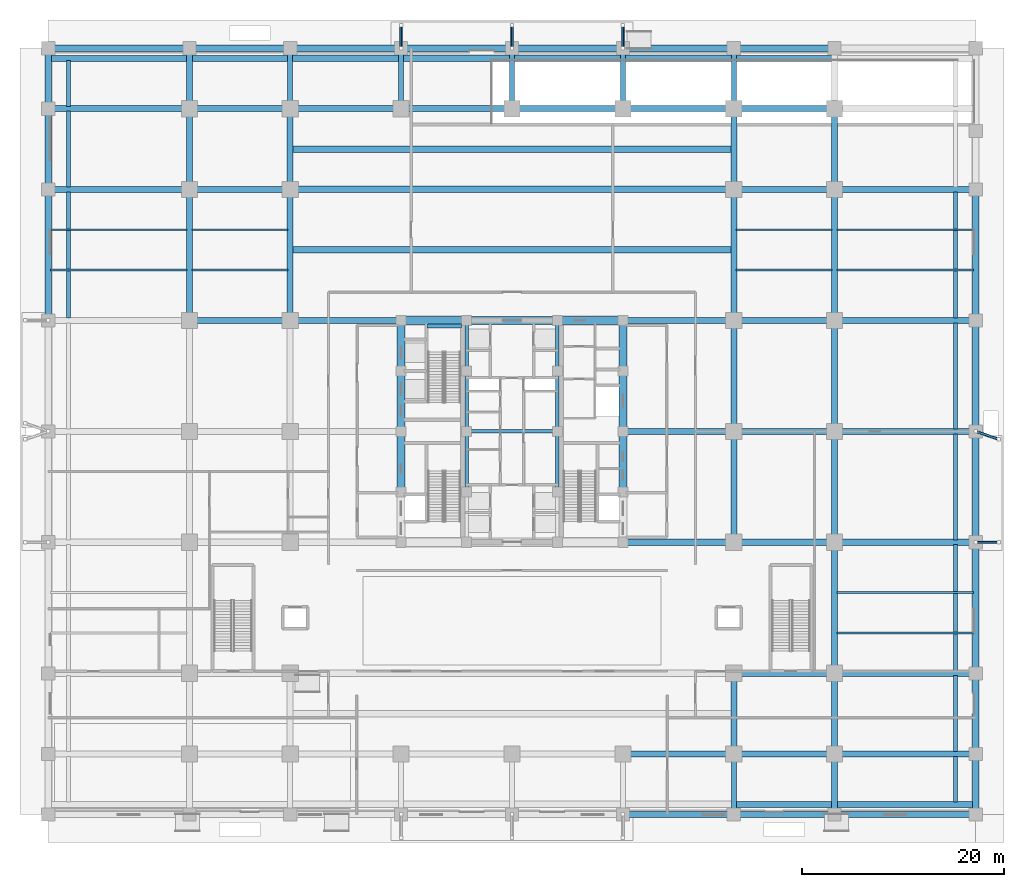
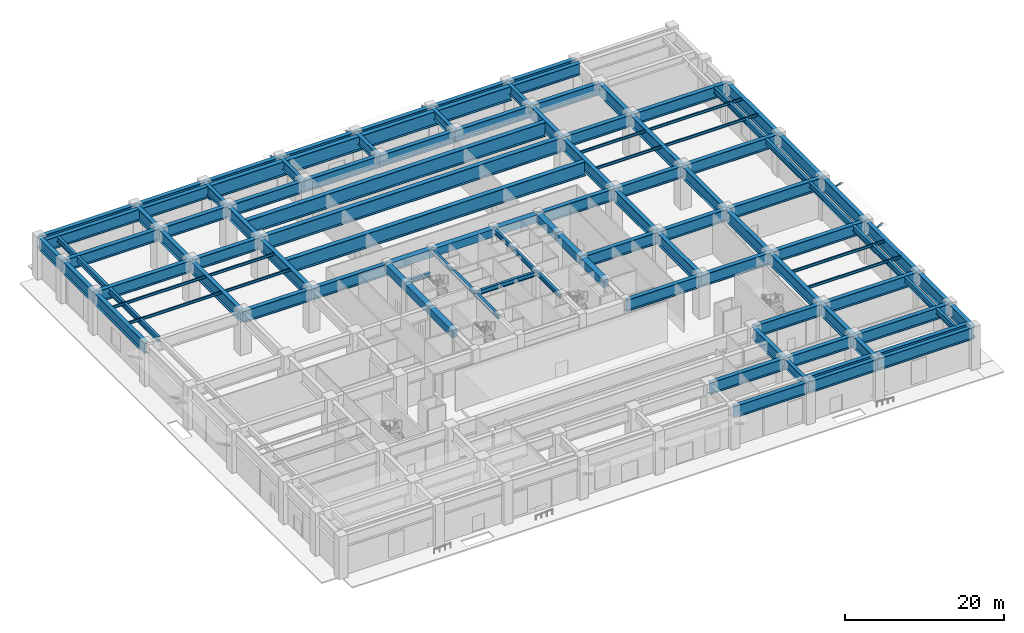
# One storey, part 2 of 21: 114 beams, 5 members.
"""IFC4 building model written with IfcOpenShell, lengths in metres."""

from ifc_helpers import new_model, si_unit, direction, frame, origin, origin_2d, place, context, subcontext, project, spatial, rectangle, hollow_circle, i_section, extrude, source, transform, mapped, material, material_profile, profile_set, type_object, element, save


model = new_model("IFC4")

# Units and contexts
model_context = context("Model", 3, precision=1e-05, world=origin(), true_north=direction((0.0, 1.0)))
body_context = subcontext(model_context, "Body", "Model", "MODEL_VIEW")
ifc_project = project(units=[si_unit("LENGTHUNIT", "METRE"), si_unit("AREAUNIT", "SQUARE_METRE"), si_unit("VOLUMEUNIT", "CUBIC_METRE"), si_unit("PLANEANGLEUNIT", "RADIAN"), si_unit("MASSUNIT", "GRAM", prefix="KILO")], contexts=[model_context])

# Site, building, storey
site_placement = place(None, origin())
site = spatial("IfcSite", under=ifc_project, at=site_placement, CompositionType="ELEMENT")
building_placement = place(site_placement, origin())
building = spatial("IfcBuilding", under=site, at=building_placement, Name="Khorayat Bourse Tower", CompositionType="ELEMENT")
storey_placement = place(building_placement, origin())
storey = spatial("IfcBuildingStorey", under=building, at=storey_placement, Name="L00", CompositionType="ELEMENT", Elevation=0.0)

# Members
ifc_material_1 = material(Name="Steel EN 10025-2 S355J2", Category="steel")
ifc_material_profile_1 = material_profile(ifc_material_1, hollow_circle(Radius=0.136474609375, WallThickness=0.012451171875, at=origin_2d()), Name="CHS 273x12.5")
ifc_profile_set_1 = profile_set([ifc_material_profile_1], Name="Steel EN 10025-2 S355J2")
member_type = type_object("IfcMemberType", Name="MBR-CANOPY-273", PredefinedType="STRUT", material=ifc_profile_set_1)
shared_shape_1 = source(origin(), body_context, "Body", "SweptSolid", [
    extrude(hollow_circle(Radius=0.136474609375, WallThickness=0.012451171875, at=origin_2d()), origin(), (0.0, 0.0, 1.0), 2.65185546875),
])
for number, where, z_axis, x_axis, name in (
    (1, (-11.0, 38.0, 3.60009765625), (0.0, 0.867346571569, 0.497704656183), (-1.0, 0.0, 0.0), "L00 Canopy Strut N-DROP-1"),
    (2, (0.0, 38.0, 3.60009765625), (0.0, 0.867346571569, 0.497704656183), (-1.0, 0.0, 0.0), "L00 Canopy Strut N-DROP-2"),
    (3, (11.0, 38.0, 3.60009765625), (0.0, 0.867346571569, 0.497704656183), (-1.0, 0.0, 0.0), "L00 Canopy Strut N-DROP-3"),
    (4, (46.0, -11.0, 3.60009765625), (0.867346571569, 0.0, 0.497704656183), (0.0, 1.0, 0.0), "L00 Canopy Strut E-DOCK-1"),
):
    element("IfcMember", number, at=place(storey_placement, frame(where, z_axis=z_axis, x_axis=x_axis)), inside=storey, type_object=member_type, Name=name, PredefinedType="STRUT", context=body_context, shape_type="MappedRepresentation", body=[
        mapped(shared_shape_1, transform((0.0, 0.0, 0.0), scale=1.0)),
    ])
shared_shape_2 = source(origin(), body_context, "Body", "SweptSolid", [
    extrude(hollow_circle(Radius=0.136474609375, WallThickness=0.012451171875, at=origin_2d()), origin(), (0.0, 0.0, 1.0), 2.769775390625),
])
member_placement = place(storey_placement, frame((46.0, 0.0, 3.60009765625), z_axis=(0.830378321271, -0.288838738861, 0.476491370852), x_axis=(0.328532290219, 0.944492739137, 0.0)))
element("IfcMember", 5, at=member_placement, inside=storey, type_object=member_type, Name="L00 Canopy Strut E-DOCK-2", PredefinedType="STRUT", context=body_context, shape_type="MappedRepresentation", body=[
    mapped(shared_shape_2, transform((0.0, 0.0, 0.0), scale=1.0)),
])

# Beams
ifc_material_2 = material(Name="Concrete C72/90", Category="concrete")
ifc_material_profile_2 = material_profile(ifc_material_2, rectangle(XDim=0.800048828125, YDim=1.199951171875, at=origin_2d()), Name="RC 800x1200")
ifc_profile_set_2 = profile_set([ifc_material_profile_2], Name="Concrete C72/90")
beam_type_1 = type_object("IfcBeamType", Name="BM-COUP-1200", PredefinedType="BEAM", material=ifc_profile_set_2)
shared_shape_3 = source(origin(), body_context, "Body", "SweptSolid", [
    extrude(rectangle(XDim=0.800048828125, YDim=1.199951171875, at=origin_2d()), origin(), (0.0, 0.0, 1.0), 5.0),
])
for number, where, z_axis, x_axis, name in (
    (6, (-11.0, 6.0, 5.679931640625), (0.0, 1.0, 0.0), (-1.0, 0.0, 0.0), "L00 BM-COUP-1200 BM-L00-CRX-04"),
    (7, (11.0, 6.0, 5.679931640625), (0.0, 1.0, 0.0), (-1.0, 0.0, 0.0), "L00 BM-COUP-1200 BM-L00-CRX-16"),
):
    element("IfcBeam", number, at=place(storey_placement, frame(where, z_axis=z_axis, x_axis=x_axis)), inside=storey, type_object=beam_type_1, Name=name, PredefinedType="BEAM", context=body_context, shape_type="MappedRepresentation", body=[
        mapped(shared_shape_3, transform((0.0, 0.0, 0.0), scale=1.0)),
    ])
shared_shape_4 = source(origin(), body_context, "Body", "SweptSolid", [
    extrude(rectangle(XDim=0.800048828125, YDim=1.199951171875, at=origin_2d()), origin(), (0.0, 0.0, 1.0), 6.0),
])
for number, where, z_axis, x_axis, name in (
    (8, (-11.0, -6.0, 5.679931640625), (0.0, 1.0, 0.0), (-1.0, 0.0, 0.0), "L00 BM-COUP-1200 BM-L00-CRX-02"),
    (9, (-11.0, 0.0, 5.679931640625), (0.0, 1.0, 0.0), (-1.0, 0.0, 0.0), "L00 BM-COUP-1200 BM-L00-CRX-03"),
    (10, (11.0, -6.0, 5.679931640625), (0.0, 1.0, 0.0), (-1.0, 0.0, 0.0), "L00 BM-COUP-1200 BM-L00-CRX-14"),
    (11, (11.0, 0.0, 5.679931640625), (0.0, 1.0, 0.0), (-1.0, 0.0, 0.0), "L00 BM-COUP-1200 BM-L00-CRX-15"),
):
    element("IfcBeam", number, at=place(storey_placement, frame(where, z_axis=z_axis, x_axis=x_axis)), inside=storey, type_object=beam_type_1, Name=name, PredefinedType="BEAM", context=body_context, shape_type="MappedRepresentation", body=[
        mapped(shared_shape_4, transform((0.0, 0.0, 0.0), scale=1.0)),
    ])
ifc_material_3 = material(Name="Steel ASTM A992 Grade 50", Category="steel")
ifc_material_profile_3 = material_profile(ifc_material_3, i_section(OverallWidth=0.35498046875, OverallDepth=0.695068359375, WebThickness=0.015380859375, FlangeThickness=0.02490234375, FilletRadius=0.01806640625, at=origin_2d()), Name="W690X217")
ifc_profile_set_3 = profile_set([ifc_material_profile_3], Name="Steel ASTM A992 Grade 50")
beam_type_2 = type_object("IfcBeamType", Name="BM-GIRD-690", PredefinedType="BEAM", material=ifc_profile_set_3)
shared_shape_5 = source(origin(), body_context, "Body", "SweptSolid", [
    extrude(i_section(OverallWidth=0.35498046875, OverallDepth=0.695068359375, WebThickness=0.015380859375, FlangeThickness=0.02490234375, FilletRadius=0.01806640625, at=origin_2d()), origin(), (0.0, 0.0, 1.0), 5.0),
])
for number, where, z_axis, x_axis, name in (
    (12, (-4.5, 6.0, 5.9326171875), (0.0, 1.0, 0.0), (-1.0, 0.0, 0.0), "L00 BM-GIRD-690 BM-L00-CRX-08"),
    (13, (4.5, 6.0, 5.9326171875), (0.0, 1.0, 0.0), (-1.0, 0.0, 0.0), "L00 BM-GIRD-690 BM-L00-CRX-12"),
):
    element("IfcBeam", number, at=place(storey_placement, frame(where, z_axis=z_axis, x_axis=x_axis)), inside=storey, type_object=beam_type_2, Name=name, PredefinedType="BEAM", context=body_context, shape_type="MappedRepresentation", body=[
        mapped(shared_shape_5, transform((0.0, 0.0, 0.0), scale=1.0)),
    ])
shared_shape_6 = source(origin(), body_context, "Body", "SweptSolid", [
    extrude(i_section(OverallWidth=0.35498046875, OverallDepth=0.695068359375, WebThickness=0.015380859375, FlangeThickness=0.02490234375, FilletRadius=0.01806640625, at=origin_2d()), origin(), (0.0, 0.0, 1.0), 6.0),
])
for number, where, z_axis, x_axis, name in (
    (14, (-4.5, -6.0, 5.9326171875), (0.0, 1.0, 0.0), (-1.0, 0.0, 0.0), "L00 BM-GIRD-690 BM-L00-CRX-06"),
    (15, (-4.5, 0.0, 5.9326171875), (0.0, 1.0, 0.0), (-1.0, 0.0, 0.0), "L00 BM-GIRD-690 BM-L00-CRX-07"),
    (16, (4.5, -6.0, 5.9326171875), (0.0, 1.0, 0.0), (-1.0, 0.0, 0.0), "L00 BM-GIRD-690 BM-L00-CRX-10"),
    (17, (4.5, 0.0, 5.9326171875), (0.0, 1.0, 0.0), (-1.0, 0.0, 0.0), "L00 BM-GIRD-690 BM-L00-CRX-11"),
):
    element("IfcBeam", number, at=place(storey_placement, frame(where, z_axis=z_axis, x_axis=x_axis)), inside=storey, type_object=beam_type_2, Name=name, PredefinedType="BEAM", context=body_context, shape_type="MappedRepresentation", body=[
        mapped(shared_shape_6, transform((0.0, 0.0, 0.0), scale=1.0)),
    ])
shared_shape_7 = source(origin(), body_context, "Body", "SweptSolid", [
    extrude(rectangle(XDim=0.800048828125, YDim=1.199951171875, at=origin_2d()), origin(), (0.0, 0.0, 1.0), 6.5),
])
for number, where, z_axis, x_axis, name in (
    (18, (-11.0, 11.0, 5.679931640625), (1.0, 0.0, 0.0), (0.0, 1.0, 0.0), "L00 BM-COUP-1200 BM-L00-CRY-20"),
    (19, (4.5, 11.0, 5.679931640625), (1.0, 0.0, 0.0), (0.0, 1.0, 0.0), "L00 BM-COUP-1200 BM-L00-CRY-22"),
):
    element("IfcBeam", number, at=place(storey_placement, frame(where, z_axis=z_axis, x_axis=x_axis)), inside=storey, type_object=beam_type_1, Name=name, PredefinedType="BEAM", context=body_context, shape_type="MappedRepresentation", body=[
        mapped(shared_shape_7, transform((0.0, 0.0, 0.0), scale=1.0)),
    ])
shared_shape_8 = source(origin(), body_context, "Body", "SweptSolid", [
    extrude(rectangle(XDim=0.800048828125, YDim=1.199951171875, at=origin_2d()), origin(), (0.0, 0.0, 1.0), 9.0),
])
beam_1_placement = place(storey_placement, frame((-4.5, 11.0, 5.679931640625), z_axis=(1.0, 0.0, 0.0), x_axis=(0.0, 1.0, 0.0)))
element("IfcBeam", 20, at=beam_1_placement, inside=storey, type_object=beam_type_1, Name="L00 BM-COUP-1200 BM-L00-CRY-21", PredefinedType="BEAM", context=body_context, shape_type="MappedRepresentation", body=[
    mapped(shared_shape_8, transform((0.0, 0.0, 0.0), scale=1.0)),
])
shared_shape_9 = source(origin(), body_context, "Body", "SweptSolid", [
    extrude(i_section(OverallWidth=0.35498046875, OverallDepth=0.695068359375, WebThickness=0.015380859375, FlangeThickness=0.02490234375, FilletRadius=0.01806640625, at=origin_2d()), origin(), (0.0, 0.0, 1.0), 3.39990234375),
])
beam_2_placement = place(storey_placement, frame((-8.419921875, 10.449951171875, 2.75244140625), z_axis=(1.0, 0.0, 0.0), x_axis=(0.0, 1.0, 0.0)))
element("IfcBeam", 21, at=beam_2_placement, inside=storey, type_object=beam_type_2, Name="L00 BM-GIRD-690 BM-L00-ST2L", PredefinedType="BEAM", context=body_context, shape_type="MappedRepresentation", body=[
    mapped(shared_shape_9, transform((0.0, 0.0, 0.0), scale=1.0)),
])
shared_shape_10 = source(origin(), body_context, "Body", "SweptSolid", [
    extrude(i_section(OverallWidth=0.35498046875, OverallDepth=0.695068359375, WebThickness=0.015380859375, FlangeThickness=0.02490234375, FilletRadius=0.01806640625, at=origin_2d()), origin(), (0.0, 0.0, 1.0), 9.0),
])
beam_3_placement = place(storey_placement, frame((-4.5, 0.0, 5.9326171875), z_axis=(1.0, 0.0, 0.0), x_axis=(0.0, 1.0, 0.0)))
element("IfcBeam", 22, at=beam_3_placement, inside=storey, type_object=beam_type_2, Name="L00 BM-GIRD-690 BM-L00-CRY-23", PredefinedType="BEAM", context=body_context, shape_type="MappedRepresentation", body=[
    mapped(shared_shape_10, transform((0.0, 0.0, 0.0), scale=1.0)),
])
ifc_material_4 = material(Name="Steel EN 10025-4 S460M", Category="steel")
ifc_material_profile_4 = material_profile(ifc_material_4, i_section(OverallWidth=0.60009765625, OverallDepth=1.800048828125, WebThickness=0.031982421875, FlangeThickness=0.06005859375, at=origin_2d()), Name="PG 1800x600x32x60")
ifc_profile_set_4 = profile_set([ifc_material_profile_4], Name="Steel EN 10025-4 S460M")
beam_type_3 = type_object("IfcBeamType", Name="BM-TR-1800", PredefinedType="BEAM", material=ifc_profile_set_4)
shared_shape_11 = source(origin(), body_context, "Body", "SweptSolid", [
    extrude(i_section(OverallWidth=0.60009765625, OverallDepth=1.800048828125, WebThickness=0.031982421875, FlangeThickness=0.06005859375, at=origin_2d()), origin(), (0.0, 0.0, 1.0), 14.0),
])
for number, where, z_axis, x_axis, name in (
    (23, (32.0, -38.0, 5.3798828125), (1.0, 0.0, 0.0), (0.0, 1.0, 0.0), "L00 BM-TR-1800 BM-L00-PGX-031"),
    (24, (32.0, -37.0, 5.3798828125), (1.0, 0.0, 0.0), (0.0, 1.0, 0.0), "L00 BM-TR-1800 BM-L00-PGX-036"),
    (25, (32.0, -32.0, 5.3798828125), (1.0, 0.0, 0.0), (0.0, 1.0, 0.0), "L00 BM-TR-1800 BM-L00-PGX-044"),
    (26, (32.0, -24.0, 5.3798828125), (1.0, 0.0, 0.0), (0.0, 1.0, 0.0), "L00 BM-TR-1800 BM-L00-PGX-049"),
    (27, (32.0, -11.0, 5.3798828125), (1.0, 0.0, 0.0), (0.0, 1.0, 0.0), "L00 BM-TR-1800 BM-L00-PGX-058"),
    (28, (32.0, 0.0, 5.3798828125), (1.0, 0.0, 0.0), (0.0, 1.0, 0.0), "L00 BM-TR-1800 BM-L00-PGX-064"),
    (29, (32.0, 11.0, 5.3798828125), (1.0, 0.0, 0.0), (0.0, 1.0, 0.0), "L00 BM-TR-1800 BM-L00-PGX-073"),
    (30, (-46.0, 24.0, 5.3798828125), (1.0, 0.0, 0.0), (0.0, 1.0, 0.0), "L00 BM-TR-1800 BM-L00-PGX-074"),
    (31, (32.0, 24.0, 5.3798828125), (1.0, 0.0, 0.0), (0.0, 1.0, 0.0), "L00 BM-TR-1800 BM-L00-PGX-078"),
    (32, (-46.0, 32.0, 5.3798828125), (1.0, 0.0, 0.0), (0.0, 1.0, 0.0), "L00 BM-TR-1800 BM-L00-PGX-079"),
    (33, (-46.0, 37.0, 5.3798828125), (1.0, 0.0, 0.0), (0.0, 1.0, 0.0), "L00 BM-TR-1800 BM-L00-PGX-087"),
    (34, (-46.0, 38.0, 5.3798828125), (1.0, 0.0, 0.0), (0.0, 1.0, 0.0), "L00 BM-TR-1800 BM-L00-PGX-092"),
):
    element("IfcBeam", number, at=place(storey_placement, frame(where, z_axis=z_axis, x_axis=x_axis)), inside=storey, type_object=beam_type_3, Name=name, PredefinedType="BEAM", context=body_context, shape_type="MappedRepresentation", body=[
        mapped(shared_shape_11, transform((0.0, 0.0, 0.0), scale=1.0)),
    ])
shared_shape_12 = source(origin(), body_context, "Body", "SweptSolid", [
    extrude(i_section(OverallWidth=0.60009765625, OverallDepth=1.800048828125, WebThickness=0.031982421875, FlangeThickness=0.06005859375, at=origin_2d()), origin(), (0.0, 0.0, 1.0), 10.0),
])
for number, where, z_axis, x_axis, name in (
    (35, (22.0, -38.0, 5.3798828125), (1.0, 0.0, 0.0), (0.0, 1.0, 0.0), "L00 BM-TR-1800 BM-L00-PGX-030"),
    (36, (22.0, -37.0, 5.3798828125), (1.0, 0.0, 0.0), (0.0, 1.0, 0.0), "L00 BM-TR-1800 BM-L00-PGX-035"),
    (37, (22.0, -32.0, 5.3798828125), (1.0, 0.0, 0.0), (0.0, 1.0, 0.0), "L00 BM-TR-1800 BM-L00-PGX-043"),
    (38, (22.0, -24.0, 5.3798828125), (1.0, 0.0, 0.0), (0.0, 1.0, 0.0), "L00 BM-TR-1800 BM-L00-PGX-048"),
    (39, (22.0, -11.0, 5.3798828125), (1.0, 0.0, 0.0), (0.0, 1.0, 0.0), "L00 BM-TR-1800 BM-L00-PGX-057"),
    (40, (22.0, 0.0, 5.3798828125), (1.0, 0.0, 0.0), (0.0, 1.0, 0.0), "L00 BM-TR-1800 BM-L00-PGX-063"),
    (41, (-32.0, 11.0, 5.3798828125), (1.0, 0.0, 0.0), (0.0, 1.0, 0.0), "L00 BM-TR-1800 BM-L00-PGX-066"),
    (42, (22.0, 11.0, 5.3798828125), (1.0, 0.0, 0.0), (0.0, 1.0, 0.0), "L00 BM-TR-1800 BM-L00-PGX-072"),
    (43, (-32.0, 24.0, 5.3798828125), (1.0, 0.0, 0.0), (0.0, 1.0, 0.0), "L00 BM-TR-1800 BM-L00-PGX-075"),
    (44, (22.0, 24.0, 5.3798828125), (1.0, 0.0, 0.0), (0.0, 1.0, 0.0), "L00 BM-TR-1800 BM-L00-PGX-077"),
    (45, (-32.0, 32.0, 5.3798828125), (1.0, 0.0, 0.0), (0.0, 1.0, 0.0), "L00 BM-TR-1800 BM-L00-PGX-080"),
    (46, (22.0, 32.0, 5.3798828125), (1.0, 0.0, 0.0), (0.0, 1.0, 0.0), "L00 BM-TR-1800 BM-L00-PGX-085"),
    (47, (-32.0, 37.0, 5.3798828125), (1.0, 0.0, 0.0), (0.0, 1.0, 0.0), "L00 BM-TR-1800 BM-L00-PGX-088"),
    (48, (22.0, 37.0, 5.3798828125), (1.0, 0.0, 0.0), (0.0, 1.0, 0.0), "L00 BM-TR-1800 BM-L00-PGX-090"),
    (49, (-32.0, 38.0, 5.3798828125), (1.0, 0.0, 0.0), (0.0, 1.0, 0.0), "L00 BM-TR-1800 BM-L00-PGX-093"),
    (50, (22.0, 38.0, 5.3798828125), (1.0, 0.0, 0.0), (0.0, 1.0, 0.0), "L00 BM-TR-1800 BM-L00-PGX-098"),
):
    element("IfcBeam", number, at=place(storey_placement, frame(where, z_axis=z_axis, x_axis=x_axis)), inside=storey, type_object=beam_type_3, Name=name, PredefinedType="BEAM", context=body_context, shape_type="MappedRepresentation", body=[
        mapped(shared_shape_12, transform((0.0, 0.0, 0.0), scale=1.0)),
    ])
shared_shape_13 = source(origin(), body_context, "Body", "SweptSolid", [
    extrude(i_section(OverallWidth=0.60009765625, OverallDepth=1.800048828125, WebThickness=0.031982421875, FlangeThickness=0.06005859375, at=origin_2d()), origin(), (0.0, 0.0, 1.0), 11.0),
])
for number, where, z_axis, x_axis, name in (
    (51, (11.0, -38.0, 5.3798828125), (1.0, 0.0, 0.0), (0.0, 1.0, 0.0), "L00 BM-TR-1800 BM-L00-PGX-029"),
    (52, (11.0, -32.0, 5.3798828125), (1.0, 0.0, 0.0), (0.0, 1.0, 0.0), "L00 BM-TR-1800 BM-L00-PGX-042"),
    (53, (11.0, -11.0, 5.3798828125), (1.0, 0.0, 0.0), (0.0, 1.0, 0.0), "L00 BM-TR-1800 BM-L00-PGX-056"),
    (54, (11.0, 0.0, 5.3798828125), (1.0, 0.0, 0.0), (0.0, 1.0, 0.0), "L00 BM-TR-1800 BM-L00-PGX-062"),
    (55, (-22.0, 11.0, 5.3798828125), (1.0, 0.0, 0.0), (0.0, 1.0, 0.0), "L00 BM-TR-1800 BM-L00-PGX-067"),
    (56, (11.0, 11.0, 5.3798828125), (1.0, 0.0, 0.0), (0.0, 1.0, 0.0), "L00 BM-TR-1800 BM-L00-PGX-071"),
    (57, (-22.0, 32.0, 5.3798828125), (1.0, 0.0, 0.0), (0.0, 1.0, 0.0), "L00 BM-TR-1800 BM-L00-PGX-081"),
    (58, (-11.0, 32.0, 5.3798828125), (1.0, 0.0, 0.0), (0.0, 1.0, 0.0), "L00 BM-TR-1800 BM-L00-PGX-082"),
    (59, (0.0, 32.0, 5.3798828125), (1.0, 0.0, 0.0), (0.0, 1.0, 0.0), "L00 BM-TR-1800 BM-L00-PGX-083"),
    (60, (11.0, 32.0, 5.3798828125), (1.0, 0.0, 0.0), (0.0, 1.0, 0.0), "L00 BM-TR-1800 BM-L00-PGX-084"),
    (61, (-22.0, 38.0, 5.3798828125), (1.0, 0.0, 0.0), (0.0, 1.0, 0.0), "L00 BM-TR-1800 BM-L00-PGX-094"),
    (62, (-11.0, 38.0, 5.3798828125), (1.0, 0.0, 0.0), (0.0, 1.0, 0.0), "L00 BM-TR-1800 BM-L00-PGX-095"),
    (63, (0.0, 38.0, 5.3798828125), (1.0, 0.0, 0.0), (0.0, 1.0, 0.0), "L00 BM-TR-1800 BM-L00-PGX-096"),
    (64, (11.0, 38.0, 5.3798828125), (1.0, 0.0, 0.0), (0.0, 1.0, 0.0), "L00 BM-TR-1800 BM-L00-PGX-097"),
    (65, (22.0, -11.0, 5.3798828125), (0.0, 1.0, 0.0), (-1.0, 0.0, 0.0), "L00 BM-TR-1800 BM-L00-PGY-142"),
    (66, (22.0, 0.0, 5.3798828125), (0.0, 1.0, 0.0), (-1.0, 0.0, 0.0), "L00 BM-TR-1800 BM-L00-PGY-143"),
    (67, (32.0, -11.0, 5.3798828125), (0.0, 1.0, 0.0), (-1.0, 0.0, 0.0), "L00 BM-TR-1800 BM-L00-PGY-150"),
    (68, (32.0, 0.0, 5.3798828125), (0.0, 1.0, 0.0), (-1.0, 0.0, 0.0), "L00 BM-TR-1800 BM-L00-PGY-151"),
    (69, (46.0, -11.0, 5.3798828125), (0.0, 1.0, 0.0), (-1.0, 0.0, 0.0), "L00 BM-TR-1800 BM-L00-PGY-166"),
    (70, (46.0, 0.0, 5.3798828125), (0.0, 1.0, 0.0), (-1.0, 0.0, 0.0), "L00 BM-TR-1800 BM-L00-PGY-167"),
):
    element("IfcBeam", number, at=place(storey_placement, frame(where, z_axis=z_axis, x_axis=x_axis)), inside=storey, type_object=beam_type_3, Name=name, PredefinedType="BEAM", context=body_context, shape_type="MappedRepresentation", body=[
        mapped(shared_shape_13, transform((0.0, 0.0, 0.0), scale=1.0)),
    ])
shared_shape_14 = source(origin(), body_context, "Body", "SweptSolid", [
    extrude(i_section(OverallWidth=0.60009765625, OverallDepth=1.800048828125, WebThickness=0.031982421875, FlangeThickness=0.06005859375, at=origin_2d()), origin(), (0.0, 0.0, 1.0), 6.0),
])
for number, where, z_axis, x_axis, name in (
    (71, (-46.0, 32.0, 5.3798828125), (0.0, 1.0, 0.0), (-1.0, 0.0, 0.0), "L00 BM-TR-1800 BM-L00-PGY-107"),
    (72, (-32.0, 32.0, 5.3798828125), (0.0, 1.0, 0.0), (-1.0, 0.0, 0.0), "L00 BM-TR-1800 BM-L00-PGY-123"),
    (73, (32.0, -38.0, 5.3798828125), (0.0, 1.0, 0.0), (-1.0, 0.0, 0.0), "L00 BM-TR-1800 BM-L00-PGY-147"),
    (74, (46.0, -38.0, 5.3798828125), (0.0, 1.0, 0.0), (-1.0, 0.0, 0.0), "L00 BM-TR-1800 BM-L00-PGY-163"),
):
    element("IfcBeam", number, at=place(storey_placement, frame(where, z_axis=z_axis, x_axis=x_axis)), inside=storey, type_object=beam_type_3, Name=name, PredefinedType="BEAM", context=body_context, shape_type="MappedRepresentation", body=[
        mapped(shared_shape_14, transform((0.0, 0.0, 0.0), scale=1.0)),
    ])
shared_shape_15 = source(origin(), body_context, "Body", "SweptSolid", [
    extrude(i_section(OverallWidth=0.60009765625, OverallDepth=1.800048828125, WebThickness=0.031982421875, FlangeThickness=0.06005859375, at=origin_2d()), origin(), (0.0, 0.0, 1.0), 8.0),
])
for number, where, z_axis, x_axis, name in (
    (75, (-46.0, 24.0, 5.3798828125), (0.0, 1.0, 0.0), (-1.0, 0.0, 0.0), "L00 BM-TR-1800 BM-L00-PGY-106"),
    (76, (-32.0, 24.0, 5.3798828125), (0.0, 1.0, 0.0), (-1.0, 0.0, 0.0), "L00 BM-TR-1800 BM-L00-PGY-122"),
    (77, (-22.0, 24.0, 5.3798828125), (0.0, 1.0, 0.0), (-1.0, 0.0, 0.0), "L00 BM-TR-1800 BM-L00-PGY-129"),
    (78, (22.0, -32.0, 5.3798828125), (0.0, 1.0, 0.0), (-1.0, 0.0, 0.0), "L00 BM-TR-1800 BM-L00-PGY-141"),
    (79, (22.0, 24.0, 5.3798828125), (0.0, 1.0, 0.0), (-1.0, 0.0, 0.0), "L00 BM-TR-1800 BM-L00-PGY-145"),
    (80, (32.0, -32.0, 5.3798828125), (0.0, 1.0, 0.0), (-1.0, 0.0, 0.0), "L00 BM-TR-1800 BM-L00-PGY-148"),
    (81, (32.0, 24.0, 5.3798828125), (0.0, 1.0, 0.0), (-1.0, 0.0, 0.0), "L00 BM-TR-1800 BM-L00-PGY-153"),
    (82, (46.0, -32.0, 5.3798828125), (0.0, 1.0, 0.0), (-1.0, 0.0, 0.0), "L00 BM-TR-1800 BM-L00-PGY-164"),
):
    element("IfcBeam", number, at=place(storey_placement, frame(where, z_axis=z_axis, x_axis=x_axis)), inside=storey, type_object=beam_type_3, Name=name, PredefinedType="BEAM", context=body_context, shape_type="MappedRepresentation", body=[
        mapped(shared_shape_15, transform((0.0, 0.0, 0.0), scale=1.0)),
    ])
shared_shape_16 = source(origin(), body_context, "Body", "SweptSolid", [
    extrude(i_section(OverallWidth=0.60009765625, OverallDepth=1.800048828125, WebThickness=0.031982421875, FlangeThickness=0.06005859375, at=origin_2d()), origin(), (0.0, 0.0, 1.0), 13.0),
])
for number, where, z_axis, x_axis, name in (
    (83, (-46.0, 11.0, 5.3798828125), (0.0, 1.0, 0.0), (-1.0, 0.0, 0.0), "L00 BM-TR-1800 BM-L00-PGY-105"),
    (84, (-32.0, 11.0, 5.3798828125), (0.0, 1.0, 0.0), (-1.0, 0.0, 0.0), "L00 BM-TR-1800 BM-L00-PGY-121"),
    (85, (-22.0, 11.0, 5.3798828125), (0.0, 1.0, 0.0), (-1.0, 0.0, 0.0), "L00 BM-TR-1800 BM-L00-PGY-128"),
    (86, (22.0, 11.0, 5.3798828125), (0.0, 1.0, 0.0), (-1.0, 0.0, 0.0), "L00 BM-TR-1800 BM-L00-PGY-144"),
    (87, (32.0, -24.0, 5.3798828125), (0.0, 1.0, 0.0), (-1.0, 0.0, 0.0), "L00 BM-TR-1800 BM-L00-PGY-149"),
    (88, (32.0, 11.0, 5.3798828125), (0.0, 1.0, 0.0), (-1.0, 0.0, 0.0), "L00 BM-TR-1800 BM-L00-PGY-152"),
    (89, (46.0, -24.0, 5.3798828125), (0.0, 1.0, 0.0), (-1.0, 0.0, 0.0), "L00 BM-TR-1800 BM-L00-PGY-165"),
    (90, (46.0, 11.0, 5.3798828125), (0.0, 1.0, 0.0), (-1.0, 0.0, 0.0), "L00 BM-TR-1800 BM-L00-PGY-168"),
):
    element("IfcBeam", number, at=place(storey_placement, frame(where, z_axis=z_axis, x_axis=x_axis)), inside=storey, type_object=beam_type_3, Name=name, PredefinedType="BEAM", context=body_context, shape_type="MappedRepresentation", body=[
        mapped(shared_shape_16, transform((0.0, 0.0, 0.0), scale=1.0)),
    ])
ifc_material_profile_5 = material_profile(ifc_material_4, i_section(OverallWidth=0.5, OverallDepth=1.39990234375, WebThickness=0.02490234375, FlangeThickness=0.050048828125, at=origin_2d()), Name="PG 1400x500x25x50")
ifc_profile_set_5 = profile_set([ifc_material_profile_5], Name="Steel EN 10025-4 S460M")
beam_type_4 = type_object("IfcBeamType", Name="BM-TR-1400", PredefinedType="BEAM", material=ifc_profile_set_5)
shared_shape_17 = source(origin(), body_context, "Body", "SweptSolid", [
    extrude(i_section(OverallWidth=0.5, OverallDepth=1.39990234375, WebThickness=0.02490234375, FlangeThickness=0.050048828125, at=origin_2d()), origin(), (0.0, 0.0, 1.0), 6.0),
])
for number, where, z_axis, x_axis, name in (
    (91, (-22.0, 32.0, 5.580078125), (0.0, 1.0, 0.0), (-1.0, 0.0, 0.0), "L00 BM-TR-1400 BM-L00-PGY-130"),
    (92, (-11.0, 32.0, 5.580078125), (0.0, 1.0, 0.0), (-1.0, 0.0, 0.0), "L00 BM-TR-1400 BM-L00-PGY-133"),
    (93, (0.0, 32.0, 5.580078125), (0.0, 1.0, 0.0), (-1.0, 0.0, 0.0), "L00 BM-TR-1400 BM-L00-PGY-135"),
    (94, (11.0, 32.0, 5.580078125), (0.0, 1.0, 0.0), (-1.0, 0.0, 0.0), "L00 BM-TR-1400 BM-L00-PGY-139"),
    (95, (22.0, -38.0, 5.580078125), (0.0, 1.0, 0.0), (-1.0, 0.0, 0.0), "L00 BM-TR-1400 BM-L00-PGY-140"),
    (96, (22.0, 32.0, 5.580078125), (0.0, 1.0, 0.0), (-1.0, 0.0, 0.0), "L00 BM-TR-1400 BM-L00-PGY-146"),
):
    element("IfcBeam", number, at=place(storey_placement, frame(where, z_axis=z_axis, x_axis=x_axis)), inside=storey, type_object=beam_type_4, Name=name, PredefinedType="BEAM", context=body_context, shape_type="MappedRepresentation", body=[
        mapped(shared_shape_17, transform((0.0, 0.0, 0.0), scale=1.0)),
    ])
ifc_material_profile_6 = material_profile(ifc_material_4, i_section(OverallWidth=0.64990234375, OverallDepth=2.199951171875, WebThickness=0.035888671875, FlangeThickness=0.06494140625, at=origin_2d()), Name="PG 2200x650x36x65")
ifc_profile_set_6 = profile_set([ifc_material_profile_6], Name="Steel EN 10025-4 S460M")
beam_type_5 = type_object("IfcBeamType", Name="BM-TR-2200", PredefinedType="BEAM", material=ifc_profile_set_6)
shared_shape_18 = source(origin(), body_context, "Body", "SweptSolid", [
    extrude(i_section(OverallWidth=0.64990234375, OverallDepth=2.199951171875, WebThickness=0.035888671875, FlangeThickness=0.06494140625, at=origin_2d()), origin(), (0.0, 0.0, 1.0), 44.0),
])
for number, where, z_axis, x_axis, name in (
    (97, (-22.0, 24.0, 5.179931640625), (1.0, 0.0, 0.0), (0.0, 1.0, 0.0), "L00 BM-TR-2200 BM-L00-PGX-076"),
    (98, (-22.0, 37.0, 5.179931640625), (1.0, 0.0, 0.0), (0.0, 1.0, 0.0), "L00 BM-TR-2200 BM-L00-PGX-089"),
):
    element("IfcBeam", number, at=place(storey_placement, frame(where, z_axis=z_axis, x_axis=x_axis)), inside=storey, type_object=beam_type_5, Name=name, PredefinedType="BEAM", context=body_context, shape_type="MappedRepresentation", body=[
        mapped(shared_shape_18, transform((0.0, 0.0, 0.0), scale=1.0)),
    ])
ifc_material_profile_7 = material_profile(ifc_material_3, i_section(OverallWidth=0.39990234375, OverallDepth=0.85498046875, WebThickness=0.018310546875, FlangeThickness=0.029296875, FilletRadius=0.02001953125, at=origin_2d()), Name="W840X299")
ifc_profile_set_7 = profile_set([ifc_material_profile_7], Name="Steel ASTM A992 Grade 50")
beam_type_6 = type_object("IfcBeamType", Name="BM-GIRD-840", PredefinedType="BEAM", material=ifc_profile_set_7)
shared_shape_19 = source(origin(), body_context, "Body", "SweptSolid", [
    extrude(i_section(OverallWidth=0.39990234375, OverallDepth=0.85498046875, WebThickness=0.018310546875, FlangeThickness=0.029296875, FilletRadius=0.02001953125, at=origin_2d()), origin(), (0.0, 0.0, 1.0), 4.52001953125),
])
for number, where, z_axis, x_axis, name in (
    (99, (-44.0, 32.239990234375, 5.8525390625), (0.0, 1.0, 0.0), (-1.0, 0.0, 0.0), "L00 BM-GIRD-840 BM-L00-PGY-115"),
    (100, (44.0, -36.760009765625, 5.8525390625), (0.0, 1.0, 0.0), (-1.0, 0.0, 0.0), "L00 BM-GIRD-840 BM-L00-PGY-155"),
):
    element("IfcBeam", number, at=place(storey_placement, frame(where, z_axis=z_axis, x_axis=x_axis)), inside=storey, type_object=beam_type_6, Name=name, PredefinedType="BEAM", context=body_context, shape_type="MappedRepresentation", body=[
        mapped(shared_shape_19, transform((0.0, 0.0, 0.0), scale=1.0)),
    ])
shared_shape_20 = source(origin(), body_context, "Body", "SweptSolid", [
    extrude(i_section(OverallWidth=0.39990234375, OverallDepth=0.85498046875, WebThickness=0.018310546875, FlangeThickness=0.029296875, FilletRadius=0.02001953125, at=origin_2d()), origin(), (0.0, 0.0, 1.0), 7.52001953125),
])
for number, where, z_axis, x_axis, name in (
    (101, (-44.0, 24.239990234375, 5.8525390625), (0.0, 1.0, 0.0), (-1.0, 0.0, 0.0), "L00 BM-GIRD-840 BM-L00-PGY-114"),
    (102, (44.0, -31.760009765625, 5.8525390625), (0.0, 1.0, 0.0), (-1.0, 0.0, 0.0), "L00 BM-GIRD-840 BM-L00-PGY-156"),
):
    element("IfcBeam", number, at=place(storey_placement, frame(where, z_axis=z_axis, x_axis=x_axis)), inside=storey, type_object=beam_type_6, Name=name, PredefinedType="BEAM", context=body_context, shape_type="MappedRepresentation", body=[
        mapped(shared_shape_20, transform((0.0, 0.0, 0.0), scale=1.0)),
    ])
shared_shape_21 = source(origin(), body_context, "Body", "SweptSolid", [
    extrude(i_section(OverallWidth=0.39990234375, OverallDepth=0.85498046875, WebThickness=0.018310546875, FlangeThickness=0.029296875, FilletRadius=0.02001953125, at=origin_2d()), origin(), (0.0, 0.0, 1.0), 12.52001953125),
])
for number, where, z_axis, x_axis, name in (
    (103, (-44.0, 11.239990234375, 5.8525390625), (0.0, 1.0, 0.0), (-1.0, 0.0, 0.0), "L00 BM-GIRD-840 BM-L00-PGY-113"),
    (104, (44.0, -23.760009765625, 5.8525390625), (0.0, 1.0, 0.0), (-1.0, 0.0, 0.0), "L00 BM-GIRD-840 BM-L00-PGY-157"),
    (105, (44.0, 11.239990234375, 5.8525390625), (0.0, 1.0, 0.0), (-1.0, 0.0, 0.0), "L00 BM-GIRD-840 BM-L00-PGY-160"),
):
    element("IfcBeam", number, at=place(storey_placement, frame(where, z_axis=z_axis, x_axis=x_axis)), inside=storey, type_object=beam_type_6, Name=name, PredefinedType="BEAM", context=body_context, shape_type="MappedRepresentation", body=[
        mapped(shared_shape_21, transform((0.0, 0.0, 0.0), scale=1.0)),
    ])
shared_shape_22 = source(origin(), body_context, "Body", "SweptSolid", [
    extrude(i_section(OverallWidth=0.39990234375, OverallDepth=0.85498046875, WebThickness=0.018310546875, FlangeThickness=0.029296875, FilletRadius=0.02001953125, at=origin_2d()), origin(), (0.0, 0.0, 1.0), 10.52001953125),
])
for number, where, z_axis, x_axis, name in (
    (106, (44.0, -10.760009765625, 5.8525390625), (0.0, 1.0, 0.0), (-1.0, 0.0, 0.0), "L00 BM-GIRD-840 BM-L00-PGY-158"),
    (107, (44.0, 0.239990234375, 5.8525390625), (0.0, 1.0, 0.0), (-1.0, 0.0, 0.0), "L00 BM-GIRD-840 BM-L00-PGY-159"),
):
    element("IfcBeam", number, at=place(storey_placement, frame(where, z_axis=z_axis, x_axis=x_axis)), inside=storey, type_object=beam_type_6, Name=name, PredefinedType="BEAM", context=body_context, shape_type="MappedRepresentation", body=[
        mapped(shared_shape_22, transform((0.0, 0.0, 0.0), scale=1.0)),
    ])
shared_shape_23 = source(origin(), body_context, "Body", "SweptSolid", [
    extrude(i_section(OverallWidth=0.64990234375, OverallDepth=2.199951171875, WebThickness=0.035888671875, FlangeThickness=0.06494140625, at=origin_2d()), origin(), (0.0, 0.0, 1.0), 43.52001953125),
])
for number, where, z_axis, x_axis, name in (
    (108, (-21.760009765625, 18.0, 5.179931640625), (1.0, 0.0, 0.0), (0.0, 1.0, 0.0), "L00 BM-TR-2200 BM-L00-HTR-172"),
    (109, (-21.760009765625, 28.0, 5.179931640625), (1.0, 0.0, 0.0), (0.0, 1.0, 0.0), "L00 BM-TR-2200 BM-L00-HTR-173"),
):
    element("IfcBeam", number, at=place(storey_placement, frame(where, z_axis=z_axis, x_axis=x_axis)), inside=storey, type_object=beam_type_5, Name=name, PredefinedType="BEAM", context=body_context, shape_type="MappedRepresentation", body=[
        mapped(shared_shape_23, transform((0.0, 0.0, 0.0), scale=1.0)),
    ])
ifc_material_profile_8 = material_profile(ifc_material_3, i_section(OverallWidth=0.180908203125, OverallDepth=0.4169921875, WebThickness=0.010986328125, FlangeThickness=0.018310546875, FilletRadius=0.011962890625, at=origin_2d()), Name="W410X85")
ifc_profile_set_8 = profile_set([ifc_material_profile_8], Name="Steel ASTM A992 Grade 50")
beam_type_7 = type_object("IfcBeamType", Name="BM-JOIST-410", PredefinedType="JOIST", material=ifc_profile_set_8)
shared_shape_24 = source(origin(), body_context, "Body", "SweptSolid", [
    extrude(i_section(OverallWidth=0.180908203125, OverallDepth=0.4169921875, WebThickness=0.010986328125, FlangeThickness=0.018310546875, FilletRadius=0.011962890625, at=origin_2d()), origin(), (0.0, 0.0, 1.0), 13.52001953125),
])
for number, where, z_axis, x_axis, name in (
    (110, (32.239990234375, -20.0, 6.071533203125), (1.0, 0.0, 0.0), (0.0, 1.0, 0.0), "L00 BM-JOIST-410 BM-L00-PJ-175"),
    (111, (32.239990234375, -16.0, 6.071533203125), (1.0, 0.0, 0.0), (0.0, 1.0, 0.0), "L00 BM-JOIST-410 BM-L00-PJ-177"),
    (112, (-45.760009765625, 16.0, 6.071533203125), (1.0, 0.0, 0.0), (0.0, 1.0, 0.0), "L00 BM-JOIST-410 BM-L00-PJ-178"),
    (113, (32.239990234375, 16.0, 6.071533203125), (1.0, 0.0, 0.0), (0.0, 1.0, 0.0), "L00 BM-JOIST-410 BM-L00-PJ-181"),
    (114, (-45.760009765625, 20.0, 6.071533203125), (1.0, 0.0, 0.0), (0.0, 1.0, 0.0), "L00 BM-JOIST-410 BM-L00-PJ-182"),
    (115, (32.239990234375, 20.0, 6.071533203125), (1.0, 0.0, 0.0), (0.0, 1.0, 0.0), "L00 BM-JOIST-410 BM-L00-PJ-185"),
):
    element("IfcBeam", number, at=place(storey_placement, frame(where, z_axis=z_axis, x_axis=x_axis)), inside=storey, type_object=beam_type_7, Name=name, PredefinedType="JOIST", context=body_context, shape_type="MappedRepresentation", body=[
        mapped(shared_shape_24, transform((0.0, 0.0, 0.0), scale=1.0)),
    ])
shared_shape_25 = source(origin(), body_context, "Body", "SweptSolid", [
    extrude(i_section(OverallWidth=0.180908203125, OverallDepth=0.4169921875, WebThickness=0.010986328125, FlangeThickness=0.018310546875, FilletRadius=0.011962890625, at=origin_2d()), origin(), (0.0, 0.0, 1.0), 9.52001953125),
])
for number, where, z_axis, x_axis, name in (
    (116, (-31.760009765625, 16.0, 6.071533203125), (1.0, 0.0, 0.0), (0.0, 1.0, 0.0), "L00 BM-JOIST-410 BM-L00-PJ-179"),
    (117, (22.239990234375, 16.0, 6.071533203125), (1.0, 0.0, 0.0), (0.0, 1.0, 0.0), "L00 BM-JOIST-410 BM-L00-PJ-180"),
    (118, (-31.760009765625, 20.0, 6.071533203125), (1.0, 0.0, 0.0), (0.0, 1.0, 0.0), "L00 BM-JOIST-410 BM-L00-PJ-183"),
    (119, (22.239990234375, 20.0, 6.071533203125), (1.0, 0.0, 0.0), (0.0, 1.0, 0.0), "L00 BM-JOIST-410 BM-L00-PJ-184"),
):
    element("IfcBeam", number, at=place(storey_placement, frame(where, z_axis=z_axis, x_axis=x_axis)), inside=storey, type_object=beam_type_7, Name=name, PredefinedType="JOIST", context=body_context, shape_type="MappedRepresentation", body=[
        mapped(shared_shape_25, transform((0.0, 0.0, 0.0), scale=1.0)),
    ])

save(model, "model.ifc")
